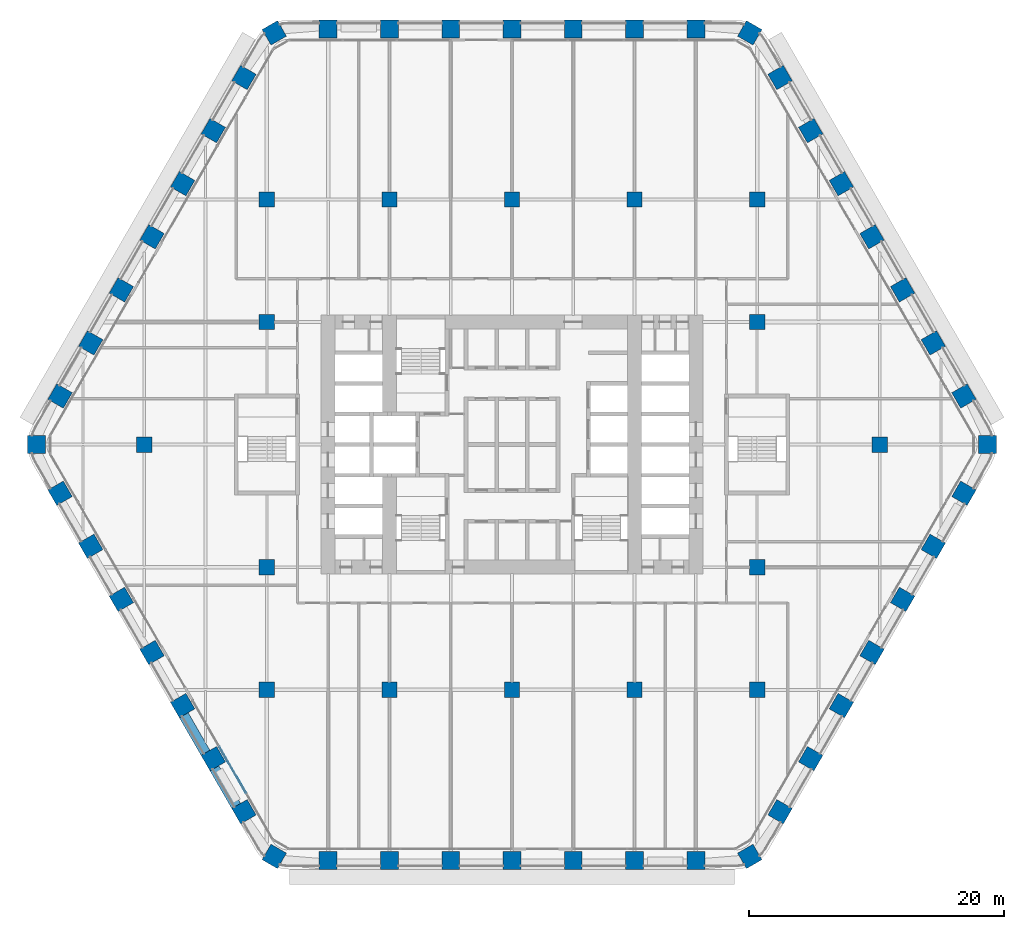
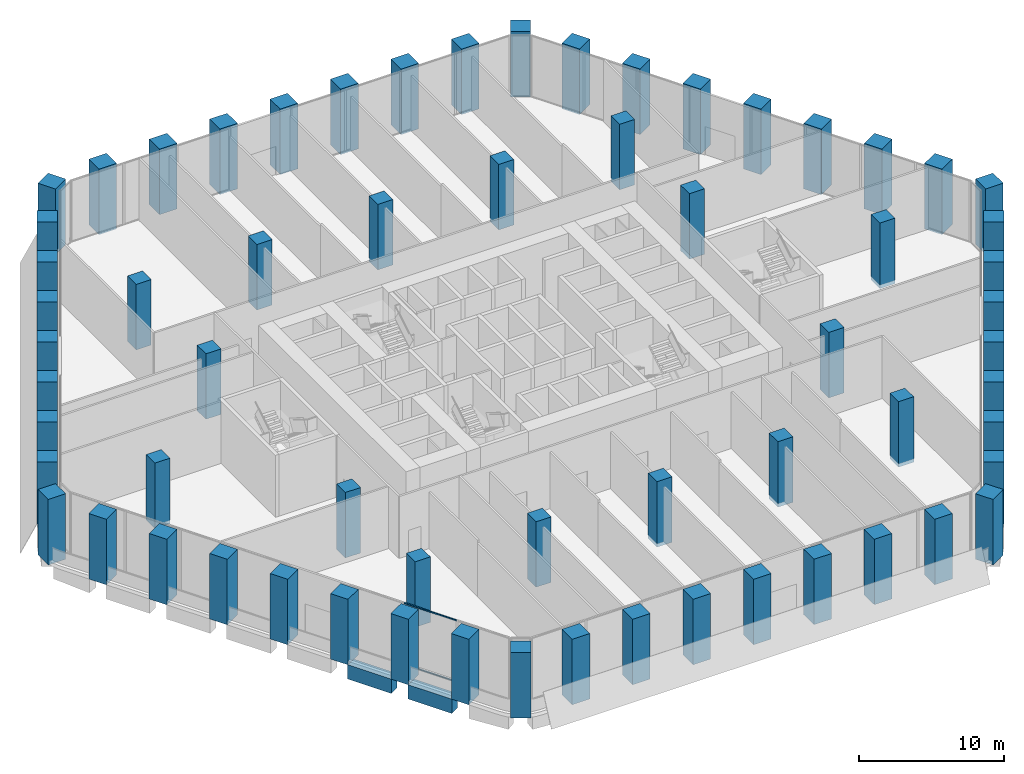
# One storey, part 1 of 27: 64 columns, 2 beams, 2 members, 1 element without a shape of its own.
"""IFC4 building model written with IfcOpenShell, lengths in metres."""

from ifc_helpers import new_model, si_unit, direction, frame, origin, origin_2d, place, context, subcontext, project, spatial, rectangle, extrude, material, material_profile, profile_set, type_object, element, aggregate, save


model = new_model("IFC4")

# Units and contexts
model_context = context("Model", 3, precision=1e-05, world=origin(), true_north=direction((0.0, 1.0)))
body_context = subcontext(model_context, "Body", "Model", "MODEL_VIEW")
ifc_project = project(units=[si_unit("LENGTHUNIT", "METRE"), si_unit("AREAUNIT", "SQUARE_METRE"), si_unit("VOLUMEUNIT", "CUBIC_METRE"), si_unit("PLANEANGLEUNIT", "RADIAN"), si_unit("MASSUNIT", "GRAM", prefix="KILO")], contexts=[model_context])

# Site, building, storey
site_placement = place(None, origin())
site = spatial("IfcSite", under=ifc_project, at=site_placement, CompositionType="ELEMENT")
building_placement = place(site_placement, origin())
building = spatial("IfcBuilding", under=site, at=building_placement, Name="Kolab Exchange Tower", CompositionType="ELEMENT")
storey_placement = place(building_placement, frame((0.0, 0.0, 66.39990234375)))
storey = spatial("IfcBuildingStorey", under=building, at=storey_placement, Name="L12", CompositionType="ELEMENT", Elevation=66.39990234375)

# Columns
ifc_material_1 = material(Name="Concrete C80/95", Category="concrete")
ifc_material_profile_1 = material_profile(ifc_material_1, rectangle(XDim=1.199951171875, YDim=1.199951171875, at=origin_2d()), Name="RC1200")
ifc_profile_set_1 = profile_set([ifc_material_profile_1], Name="Concrete C80/95")
column_type_1 = type_object("IfcColumnType", Name="INTERIOR COLUMN 1200 SQ C80/95", PredefinedType="COLUMN", material=ifc_profile_set_1)
for number, where, z_axis, x_axis, name in (
    (1, (-28.800048828125, 0.0, -0.2998046875), (0.0, 0.0, 1.0), (1.0, 0.0, 0.0), "col/L12/I-G11"),
    (2, (-19.199951171875, -19.199951171875, -0.2998046875), (0.0, 0.0, 1.0), (1.0, 0.0, 0.0), "col/L12/I-I7"),
    (3, (-19.199951171875, -9.60009765625, -0.2998046875), (0.0, 0.0, 1.0), (1.0, 0.0, 0.0), "col/L12/I-I9"),
    (4, (-19.199951171875, 9.60009765625, -0.2998046875), (0.0, 0.0, 1.0), (1.0, 0.0, 0.0), "col/L12/I-I13"),
    (5, (-19.199951171875, 19.199951171875, -0.2998046875), (0.0, 0.0, 1.0), (1.0, 0.0, 0.0), "col/L12/I-I15"),
    (6, (-9.60009765625, -19.199951171875, -0.2998046875), (0.0, 0.0, 1.0), (1.0, 0.0, 0.0), "col/L12/I-K7"),
    (7, (-9.60009765625, 19.199951171875, -0.2998046875), (0.0, 0.0, 1.0), (1.0, 0.0, 0.0), "col/L12/I-K15"),
    (8, (0.0, -19.199951171875, -0.2998046875), (0.0, 0.0, 1.0), (1.0, 0.0, 0.0), "col/L12/I-M7"),
    (9, (0.0, 19.199951171875, -0.2998046875), (0.0, 0.0, 1.0), (1.0, 0.0, 0.0), "col/L12/I-M15"),
    (10, (9.60009765625, -19.199951171875, -0.2998046875), (0.0, 0.0, 1.0), (1.0, 0.0, 0.0), "col/L12/I-O7"),
    (11, (9.60009765625, 19.199951171875, -0.2998046875), (0.0, 0.0, 1.0), (1.0, 0.0, 0.0), "col/L12/I-O15"),
    (12, (19.199951171875, -19.199951171875, -0.2998046875), (0.0, 0.0, 1.0), (1.0, 0.0, 0.0), "col/L12/I-Q7"),
    (13, (19.199951171875, -9.60009765625, -0.2998046875), (0.0, 0.0, 1.0), (1.0, 0.0, 0.0), "col/L12/I-Q9"),
    (14, (19.199951171875, 9.60009765625, -0.2998046875), (0.0, 0.0, 1.0), (1.0, 0.0, 0.0), "col/L12/I-Q13"),
    (15, (19.199951171875, 19.199951171875, -0.2998046875), (0.0, 0.0, 1.0), (1.0, 0.0, 0.0), "col/L12/I-Q15"),
    (16, (28.800048828125, 0.0, -0.2998046875), (0.0, 0.0, 1.0), (1.0, 0.0, 0.0), "col/L12/I-S11"),
):
    element("IfcColumn", number, at=place(storey_placement, frame(where, z_axis=z_axis, x_axis=x_axis)), inside=storey, type_object=column_type_1, Name=name, PredefinedType="COLUMN", context=body_context, shape_type="SweptSolid", body=[
        extrude(rectangle(XDim=1.199951171875, YDim=1.199951171875, at=origin_2d()), origin(), (0.0, 0.0, 1.0), 5.5),
    ])
ifc_material_profile_2 = material_profile(ifc_material_1, rectangle(XDim=1.39990234375, YDim=1.39990234375, at=origin_2d()), Name="RC1400")
ifc_profile_set_2 = profile_set([ifc_material_profile_2], Name="Concrete C80/95")
column_type_2 = type_object("IfcColumnType", Name="PERIMETER COLUMN 1400 SQ C80/95", PredefinedType="COLUMN", material=ifc_profile_set_2)
for number, where, z_axis, x_axis, name in (
    (17, (-18.617919921875, 32.247314453125, -0.2998046875), (0.0, 0.0, 1.0), (0.866025403784, 0.5, 0.0), "col/L12/F1-01"),
    (18, (-14.39990234375, 32.555419921875, -0.2998046875), (0.0, 0.0, 1.0), (1.0, 0.0, 0.0), "col/L12/F1-02"),
    (19, (-9.60009765625, 32.555419921875, -0.2998046875), (0.0, 0.0, 1.0), (1.0, 0.0, 0.0), "col/L12/F1-03"),
    (20, (-4.800048828125, 32.555419921875, -0.2998046875), (0.0, 0.0, 1.0), (1.0, 0.0, 0.0), "col/L12/F1-04"),
    (21, (0.0, 32.555419921875, -0.2998046875), (0.0, 0.0, 1.0), (1.0, 0.0, 0.0), "col/L12/F1-05"),
    (22, (4.800048828125, 32.555419921875, -0.2998046875), (0.0, 0.0, 1.0), (1.0, 0.0, 0.0), "col/L12/F1-06"),
    (23, (9.60009765625, 32.555419921875, -0.2998046875), (0.0, 0.0, 1.0), (1.0, 0.0, 0.0), "col/L12/F1-07"),
    (24, (14.39990234375, 32.555419921875, -0.2998046875), (0.0, 0.0, 1.0), (1.0, 0.0, 0.0), "col/L12/F1-08"),
    (25, (18.617919921875, 32.247314453125, -0.2998046875), (0.0, 0.0, 1.0), (0.5, 0.866025403784, 0.0), "col/L12/F2-01"),
    (26, (20.993896484375, 28.74853515625, -0.2998046875), (0.0, 0.0, 1.0), (0.866025403784, 0.5, 0.0), "col/L12/F2-02"),
    (27, (23.393798828125, 24.591552734375, -0.2998046875), (0.0, 0.0, 1.0), (0.866025403784, 0.5, 0.0), "col/L12/F2-03"),
    (28, (25.793701171875, 20.4345703125, -0.2998046875), (0.0, 0.0, 1.0), (0.866025403784, 0.5, 0.0), "col/L12/F2-04"),
    (29, (28.19384765625, 16.277587890625, -0.2998046875), (0.0, 0.0, 1.0), (0.866025403784, 0.5, 0.0), "col/L12/F2-05"),
    (30, (30.59375, 12.120849609375, -0.2998046875), (0.0, 0.0, 1.0), (0.866025403784, 0.5, 0.0), "col/L12/F2-06"),
    (31, (32.993896484375, 7.9638671875, -0.2998046875), (0.0, 0.0, 1.0), (0.866025403784, 0.5, 0.0), "col/L12/F2-07"),
    (32, (35.393798828125, 3.806884765625, -0.2998046875), (0.0, 0.0, 1.0), (0.866025403784, 0.5, 0.0), "col/L12/F2-08"),
    (33, (37.23583984375, 0.0, -0.2998046875), (0.0, 0.0, 1.0), (1.0, 0.0, 0.0), "col/L12/F3-01"),
    (34, (35.393798828125, -3.806884765625, -0.2998046875), (0.0, 0.0, 1.0), (0.5, 0.866025403784, 0.0), "col/L12/F3-02"),
    (35, (32.993896484375, -7.9638671875, -0.2998046875), (0.0, 0.0, 1.0), (0.5, 0.866025403784, 0.0), "col/L12/F3-03"),
    (36, (30.59375, -12.120849609375, -0.2998046875), (0.0, 0.0, 1.0), (0.5, 0.866025403784, 0.0), "col/L12/F3-04"),
    (37, (28.19384765625, -16.277587890625, -0.2998046875), (0.0, 0.0, 1.0), (0.5, 0.866025403784, 0.0), "col/L12/F3-05"),
    (38, (25.793701171875, -20.4345703125, -0.2998046875), (0.0, 0.0, 1.0), (0.5, 0.866025403784, 0.0), "col/L12/F3-06"),
    (39, (23.393798828125, -24.591552734375, -0.2998046875), (0.0, 0.0, 1.0), (0.5, 0.866025403784, 0.0), "col/L12/F3-07"),
    (40, (20.993896484375, -28.74853515625, -0.2998046875), (0.0, 0.0, 1.0), (0.5, 0.866025403784, 0.0), "col/L12/F3-08"),
    (41, (18.617919921875, -32.247314453125, -0.2998046875), (0.0, 0.0, 1.0), (0.866025403784, 0.5, 0.0), "col/L12/F4-01"),
    (42, (14.39990234375, -32.555419921875, -0.2998046875), (0.0, 0.0, 1.0), (1.0, 0.0, 0.0), "col/L12/F4-02"),
    (43, (9.60009765625, -32.555419921875, -0.2998046875), (0.0, 0.0, 1.0), (1.0, 0.0, 0.0), "col/L12/F4-03"),
    (44, (4.800048828125, -32.555419921875, -0.2998046875), (0.0, 0.0, 1.0), (1.0, 0.0, 0.0), "col/L12/F4-04"),
    (45, (0.0, -32.555419921875, -0.2998046875), (0.0, 0.0, 1.0), (1.0, 0.0, 0.0), "col/L12/F4-05"),
    (46, (-4.800048828125, -32.555419921875, -0.2998046875), (0.0, 0.0, 1.0), (1.0, 0.0, 0.0), "col/L12/F4-06"),
    (47, (-9.60009765625, -32.555419921875, -0.2998046875), (0.0, 0.0, 1.0), (1.0, 0.0, 0.0), "col/L12/F4-07"),
    (48, (-14.39990234375, -32.555419921875, -0.2998046875), (0.0, 0.0, 1.0), (1.0, 0.0, 0.0), "col/L12/F4-08"),
    (49, (-18.617919921875, -32.247314453125, -0.2998046875), (0.0, 0.0, 1.0), (0.5, 0.866025403784, 0.0), "col/L12/F5-01"),
    (50, (-20.993896484375, -28.74853515625, -0.2998046875), (0.0, 0.0, 1.0), (0.866025403784, 0.5, 0.0), "col/L12/F5-02"),
    (51, (-23.393798828125, -24.591552734375, -0.2998046875), (0.0, 0.0, 1.0), (0.866025403784, 0.5, 0.0), "col/L12/F5-03"),
    (52, (-25.793701171875, -20.4345703125, -0.2998046875), (0.0, 0.0, 1.0), (0.866025403784, 0.5, 0.0), "col/L12/F5-04"),
    (53, (-28.19384765625, -16.277587890625, -0.2998046875), (0.0, 0.0, 1.0), (0.866025403784, 0.5, 0.0), "col/L12/F5-05"),
    (54, (-30.59375, -12.120849609375, -0.2998046875), (0.0, 0.0, 1.0), (0.866025403784, 0.5, 0.0), "col/L12/F5-06"),
    (55, (-32.993896484375, -7.9638671875, -0.2998046875), (0.0, 0.0, 1.0), (0.866025403784, 0.5, 0.0), "col/L12/F5-07"),
    (56, (-35.393798828125, -3.806884765625, -0.2998046875), (0.0, 0.0, 1.0), (0.866025403784, 0.5, 0.0), "col/L12/F5-08"),
    (57, (-37.23583984375, 0.0, -0.2998046875), (0.0, 0.0, 1.0), (1.0, 0.0, 0.0), "col/L12/F6-01"),
    (58, (-35.393798828125, 3.806884765625, -0.2998046875), (0.0, 0.0, 1.0), (0.5, 0.866025403784, 0.0), "col/L12/F6-02"),
    (59, (-32.993896484375, 7.9638671875, -0.2998046875), (0.0, 0.0, 1.0), (0.5, 0.866025403784, 0.0), "col/L12/F6-03"),
    (60, (-30.59375, 12.120849609375, -0.2998046875), (0.0, 0.0, 1.0), (0.5, 0.866025403784, 0.0), "col/L12/F6-04"),
    (61, (-28.19384765625, 16.277587890625, -0.2998046875), (0.0, 0.0, 1.0), (0.5, 0.866025403784, 0.0), "col/L12/F6-05"),
    (62, (-25.793701171875, 20.4345703125, -0.2998046875), (0.0, 0.0, 1.0), (0.5, 0.866025403784, 0.0), "col/L12/F6-06"),
    (63, (-23.393798828125, 24.591552734375, -0.2998046875), (0.0, 0.0, 1.0), (0.5, 0.866025403784, 0.0), "col/L12/F6-07"),
    (64, (-20.993896484375, 28.74853515625, -0.2998046875), (0.0, 0.0, 1.0), (0.5, 0.866025403784, 0.0), "col/L12/F6-08"),
):
    element("IfcColumn", number, at=place(storey_placement, frame(where, z_axis=z_axis, x_axis=x_axis)), inside=storey, type_object=column_type_2, Name=name, PredefinedType="COLUMN", context=body_context, shape_type="SweptSolid", body=[
        extrude(rectangle(XDim=1.39990234375, YDim=1.39990234375, at=origin_2d()), origin(), (0.0, 0.0, 1.0), 5.5),
    ])

# Beams
ifc_material_profile_3 = material_profile(ifc_material_1, rectangle(XDim=0.800048828125, YDim=1.199951171875, at=origin_2d()), Name="RC800X1200")
ifc_profile_set_3 = profile_set([ifc_material_profile_3], Name="Concrete C80/95")
beam_type = type_object("IfcBeamType", Name="SPANDREL BEAM 800X1200 C80/95", PredefinedType="BEAM", material=ifc_profile_set_3)
beam_1_placement = place(storey_placement, frame((-21.58349609375, -28.326904296875, -0.89990234375), z_axis=(-0.499979528911, 0.866037222451, 0.0), x_axis=(-0.866037222451, -0.499979528911, 0.0)))
element("IfcBeam", 65, at=beam_1_placement, inside=storey, type_object=beam_type, Name="beam/L12/sp/F5-02", PredefinedType="BEAM", context=body_context, shape_type="SweptSolid", body=[
    extrude(rectangle(XDim=0.800048828125, YDim=1.199951171875, at=origin_2d()), origin(), (0.0, 0.0, 1.0), 3.480224609375),
])
beam_2_placement = place(storey_placement, frame((-23.983642578125, -24.169921875, -0.89990234375), z_axis=(-0.500009906705, 0.86601968407, 0.0), x_axis=(-0.86601968407, -0.500009906705, 0.0)))
element("IfcBeam", 66, at=beam_2_placement, inside=storey, type_object=beam_type, Name="beam/L12/sp/F5-03", PredefinedType="BEAM", context=body_context, shape_type="SweptSolid", body=[
    extrude(rectangle(XDim=0.800048828125, YDim=1.199951171875, at=origin_2d()), origin(), (0.0, 0.0, 1.0), 3.47998046875),
])

# Curtain wall, members
ifc_material_2 = material(Name="Aluminium EN AW-6063 T6", Category="aluminium")
curtain_wall_type = type_object("IfcCurtainWallType", Name="UNITISED LOW ZONE CURTAIN WALL", PredefinedType="NOTDEFINED", material=ifc_material_2)
curtain_wall_placement = place(storey_placement, origin())
curtain_wall = element("IfcCurtainWall", 67, at=curtain_wall_placement, inside=storey, type_object=curtain_wall_type, Name="cw/L12/F5-1", PredefinedType="NOTDEFINED")
ifc_material_profile_4 = material_profile(ifc_material_2, rectangle(XDim=0.06005859375, YDim=0.10009765625, at=origin_2d()), Name="RECT 60X100")
ifc_profile_set_4 = profile_set([ifc_material_profile_4], Name="Aluminium EN AW-6063 T6")
member_type = type_object("IfcMemberType", Name="UNITISED LOW ZONE TRANSOM 60 X 100", PredefinedType="USERDEFINED", material=ifc_profile_set_4)
member_1_placement = place(storey_placement, frame((-20.823974609375, -27.282470703125, 0.030029296875), z_axis=(-0.49999322259, 0.866029316688, 0.0), x_axis=(-0.866029316688, -0.49999322259, 0.0)))
member_1 = element("IfcMember", 68, at=member_1_placement, type_object=member_type, Name="CW1 transom 2.1", ObjectType="TRANSOM", PredefinedType="USERDEFINED", context=body_context, shape_type="SweptSolid", body=[
    extrude(rectangle(XDim=0.06005859375, YDim=0.10009765625, at=origin_2d()), origin(), (0.0, 0.0, 1.0), 4.16259765625),
])
member_2_placement = place(storey_placement, frame((-20.823974609375, -27.282470703125, 5.170166015625), z_axis=(-0.49999322259, 0.866029316688, 0.0), x_axis=(-0.866029316688, -0.49999322259, 0.0)))
member_2 = element("IfcMember", 69, at=member_2_placement, type_object=member_type, Name="CW1 transom 2.2", ObjectType="TRANSOM", PredefinedType="USERDEFINED", context=body_context, shape_type="SweptSolid", body=[
    extrude(rectangle(XDim=0.06005859375, YDim=0.10009765625, at=origin_2d()), origin(), (0.0, 0.0, 1.0), 4.16259765625),
])
aggregate(curtain_wall, [member_1, member_2])

save(model, "model.ifc")
